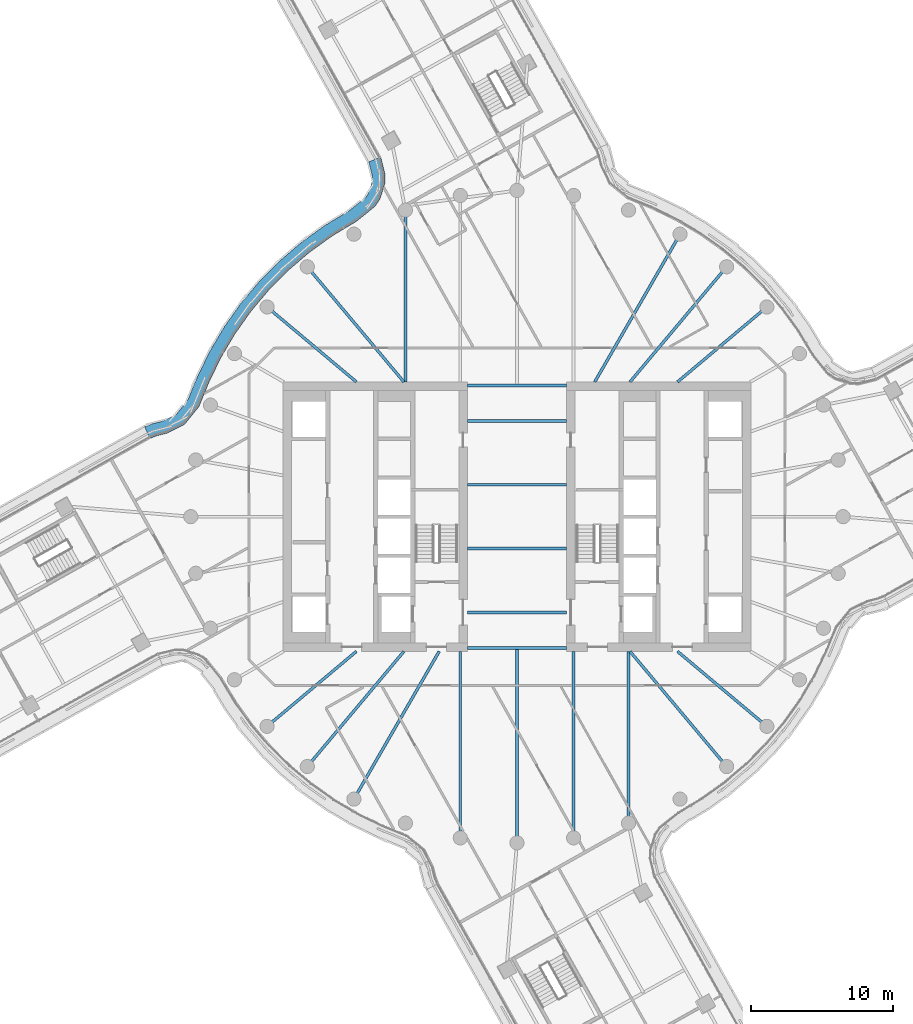
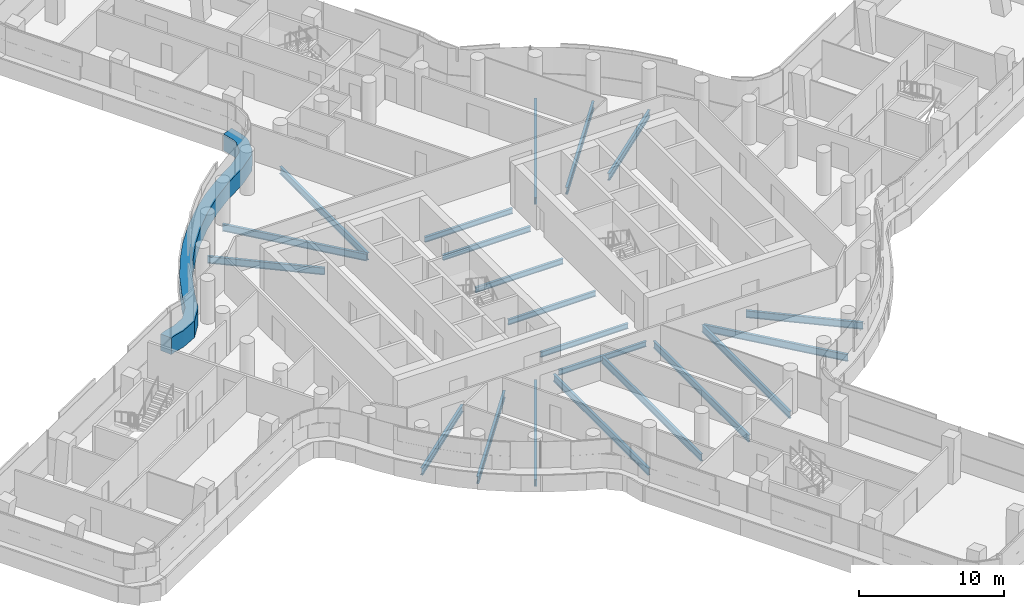
# One storey, part 9 of 34: 21 beams, 1 member, 1 element without a shape of its own.
"""IFC4 building model written with IfcOpenShell, lengths in metres."""

import ifcopenshell
import ifcopenshell.guid

model = None  # the IFC model being written
_history = None  # IfcOwnerHistory: only IFC2X3 demands one
_inside = {}  # id of a spatial element -> (the spatial element, [elements in it])
_under = {}  # id of a project, library or spatial element -> (it, [spatial elements below it])
_declared = {}  # id of a project -> (the project, [libraries it declares])
_typed = {}  # id of a type object -> (the type object, [elements of that type])
_made_of = {}  # id of a material, layer set ... -> (it, [elements and type objects made of it])


def new_model(schema):
    """Start an empty IFC model of exactly this schema.

    Asked for "IFC4X3", IfcOpenShell would pick the latest addendum, in which some entities
    have other attributes; the version numbers below select the first issue.
    IFC2X3 requires an IfcOwnerHistory on every rooted entity: one is made here for all.
    """
    global model, _history
    if schema == "IFC4X3":
        model = ifcopenshell.file(schema_version=(4, 3, 0, 0))
    else:
        model = ifcopenshell.file(schema=schema)
    _inside.clear()
    _under.clear()
    _declared.clear()
    _typed.clear()
    _made_of.clear()
    _history = None
    if model.schema == "IFC2X3":
        org = make("IfcOrganization", Name="unknown")
        user = make(
            "IfcPersonAndOrganization",
            ThePerson=make("IfcPerson", FamilyName="unknown"),
            TheOrganization=org,
        )
        app = make(
            "IfcApplication",
            ApplicationDeveloper=org,
            Version="unknown",
            ApplicationFullName="unknown",
            ApplicationIdentifier="unknown",
        )
        _history = make(
            "IfcOwnerHistory",
            OwningUser=user,
            OwningApplication=app,
            ChangeAction="ADDED",
            CreationDate=0,
        )
    return model


def make(cls, **values):
    """One entity of the class cls with the attributes given. An attribute that is None is left unset."""
    return model.create_entity(
        cls, **{name: value for name, value in values.items() if value is not None}
    )


def rooted(cls, **values):
    """An entity with a GlobalId (a new one), such as an element, a storey or a relation."""
    return make(cls, GlobalId=ifcopenshell.guid.new(), OwnerHistory=_history, **values)


def si_unit(unit_type, name, prefix=None):
    """IfcSIUnit, for example si_unit("LENGTHUNIT", "METRE", prefix="MILLI")."""
    return make("IfcSIUnit", UnitType=unit_type, Prefix=prefix, Name=name)


def assignment(units):
    """IfcUnitAssignment: the units of a project."""
    return None if units is None else make("IfcUnitAssignment", Units=units)


def point(xyz):
    """IfcCartesianPoint."""
    return None if xyz is None else make("IfcCartesianPoint", Coordinates=xyz)


def direction(xyz):
    """IfcDirection."""
    return None if xyz is None else make("IfcDirection", DirectionRatios=xyz)


def frame(location, z_axis=None, x_axis=None):
    """IfcAxis2Placement3D, a coordinate frame: its origin and axes. An axis left out is left unset."""
    return make(
        "IfcAxis2Placement3D",
        Location=point(location),
        Axis=direction(z_axis),
        RefDirection=direction(x_axis),
    )


def frame_2d(location, x_axis=None):
    """IfcAxis2Placement2D, a coordinate frame in the plane: its origin and x axis."""
    return make(
        "IfcAxis2Placement2D", Location=point(location), RefDirection=direction(x_axis)
    )


def origin():
    """The frame at (0, 0, 0) with its axes left unset."""
    return frame((0.0, 0.0, 0.0))


def origin_2d():
    """The frame at (0, 0) in the plane with its x axis left unset."""
    return frame_2d((0.0, 0.0))


def place(relative_to, where):
    """IfcLocalPlacement: puts the frame where relative to a parent placement (None: the world)."""
    return make(
        "IfcLocalPlacement", PlacementRelTo=relative_to, RelativePlacement=where
    )


def context(
    kind, dimensions, precision=None, world=None, true_north=None, identifier=None
):
    """IfcGeometricRepresentationContext, for example the 3D "Model" context."""
    return make(
        "IfcGeometricRepresentationContext",
        ContextIdentifier=identifier,
        ContextType=kind,
        CoordinateSpaceDimension=dimensions,
        Precision=precision,
        WorldCoordinateSystem=world,
        TrueNorth=true_north,
    )


def subcontext(parent, identifier, kind, view, scale=None):
    """IfcGeometricRepresentationSubContext, for example "Body" below "Model"."""
    return make(
        "IfcGeometricRepresentationSubContext",
        ContextIdentifier=identifier,
        ContextType=kind,
        ParentContext=parent,
        TargetScale=scale,
        TargetView=view,
    )


def project(units=None, contexts=None):
    """IfcProject with its units and contexts."""
    return rooted(
        "IfcProject",
        Name="project",
        RepresentationContexts=contexts,
        UnitsInContext=assignment(units),
    )


def spatial(cls, under=None, at=None, **own):
    """A site, building, storey or space (cls), placed at a placement, below another one or the project."""
    s = rooted(cls, ObjectPlacement=at, **own)
    if under is not None:
        _under.setdefault(under.id(), (under, []))[1].append(s)
    return s


def polyline(points):
    """IfcPolyline through the points."""
    return make("IfcPolyline", Points=[point(p) for p in points])


def profile(cls, at=None, kind="AREA", **sizes):
    """A parametric profile (cls). Its sizes go by their IFC names, for example OverallWidth=200.0."""
    return make(cls, ProfileType=kind, Position=at, **sizes)


def i_section(**sizes):
    """IfcIShapeProfileDef."""
    return profile("IfcIShapeProfileDef", **sizes)


def outline(outer, holes=None, kind="AREA"):
    """IfcArbitraryClosedProfileDef: a profile drawn as a closed curve; with holes, ...WithVoids."""
    if holes is None:
        return make("IfcArbitraryClosedProfileDef", ProfileType=kind, OuterCurve=outer)
    return make(
        "IfcArbitraryProfileDefWithVoids",
        ProfileType=kind,
        OuterCurve=outer,
        InnerCurves=holes,
    )


def extrude(swept, where, along, depth):
    """IfcExtrudedAreaSolid: the profile swept, set in the frame where, extruded along a direction by depth."""
    return make(
        "IfcExtrudedAreaSolid",
        SweptArea=swept,
        Position=where,
        ExtrudedDirection=direction(along),
        Depth=depth,
    )


def shape(context_of_items, identifier, shape_type, items):
    """IfcShapeRepresentation: the items that make up one representation, for example the "Body"."""
    return make(
        "IfcShapeRepresentation",
        ContextOfItems=context_of_items,
        RepresentationIdentifier=identifier,
        RepresentationType=shape_type,
        Items=items,
    )


def material(Name=None, Category=None):
    """IfcMaterial."""
    return make("IfcMaterial", Name=Name, Category=Category)


def layer(
    of_material, thickness, ventilated=None, Name=None, Category=None, Priority=None
):
    """IfcMaterialLayer: one layer of a wall or slab, of a material (None: an air gap)."""
    return make(
        "IfcMaterialLayer",
        Material=of_material,
        LayerThickness=thickness,
        IsVentilated=ventilated,
        Name=Name,
        Category=Category,
        Priority=Priority,
    )


def layer_set(layers, Name=None):
    """IfcMaterialLayerSet."""
    return make("IfcMaterialLayerSet", MaterialLayers=layers, LayerSetName=Name)


def material_profile(
    of_material, cross_section, Name=None, Category=None, Priority=None
):
    """IfcMaterialProfile: a cross section and its material."""
    return make(
        "IfcMaterialProfile",
        Name=Name,
        Material=of_material,
        Profile=cross_section,
        Priority=Priority,
        Category=Category,
    )


def profile_set(profiles, Name=None, composite=None):
    """IfcMaterialProfileSet."""
    return make(
        "IfcMaterialProfileSet",
        Name=Name,
        MaterialProfiles=profiles,
        CompositeProfile=composite,
    )


def made_of(thing, what):
    """Note that an element or type object is made of a material, layer set ...; save() writes the relation."""
    if what is not None:
        _made_of.setdefault(what.id(), (what, []))[1].append(thing)
    return thing


def type_object(cls, material=None, **own):
    """A type object (cls), such as IfcWallType, which elements share."""
    return made_of(rooted(cls, **own), material)


def element(
    cls,
    number,
    at=None,
    inside=None,
    cuts=None,
    type_object=None,
    material=None,
    context=None,
    identifier="Body",
    shape_type=None,
    held_by="IfcProductDefinitionShape",
    body=None,
    shapes=None,
    **own,
):
    """One element of the class cls, such as IfcWall. Its Tag is "e" and its number.

    at: its placement. inside: the storey or other place that contains it. cuts: it is an
    opening in that element (IfcRelVoidsElement). A single representation is given by context,
    identifier, shape_type and body (its items); several are given by shapes. held_by: the class
    of the entity that holds the representations. save() writes the other relations.
    """
    e = rooted(cls, Tag="e%d" % number, ObjectPlacement=at, **own)
    if body is not None:
        shapes = [shape(context, identifier, shape_type, body)]
    if shapes is not None:
        e.Representation = make(held_by, Representations=shapes)
    if inside is not None:
        _inside.setdefault(inside.id(), (inside, []))[1].append(e)
    if cuts is not None:
        rooted(
            "IfcRelVoidsElement", RelatingBuildingElement=cuts, RelatedOpeningElement=e
        )
    if type_object is not None:
        _typed.setdefault(type_object.id(), (type_object, []))[1].append(e)
    return made_of(e, material)


def aggregate(whole, parts):
    """IfcRelAggregates: a whole, such as a stair, and the parts it consists of."""
    return rooted("IfcRelAggregates", RelatingObject=whole, RelatedObjects=parts)


def save(model, path):
    """Write the relations noted so far, then the file.

    IfcRelAggregates (storeys below a building ...), IfcRelContainedInSpatialStructure (elements
    in a storey), IfcRelDefinesByType, IfcRelAssociatesMaterial and IfcRelDeclares: one each for
    every whole, place, type object, material and project.
    """
    for whole, parts in _under.values():
        aggregate(whole, parts)
    for where, things in _inside.values():
        rooted(
            "IfcRelContainedInSpatialStructure",
            RelatedElements=things,
            RelatingStructure=where,
        )
    for kind, things in _typed.values():
        rooted("IfcRelDefinesByType", RelatedObjects=things, RelatingType=kind)
    for what, things in _made_of.values():
        rooted("IfcRelAssociatesMaterial", RelatedObjects=things, RelatingMaterial=what)
    for by, libraries in _declared.values():
        rooted("IfcRelDeclares", RelatingContext=by, RelatedDefinitions=libraries)
    model.write(path)


model = new_model("IFC4")

# Units and contexts
model_context = context("Model", 3, precision=1e-05, world=origin(), true_north=direction((0.0, 1.0)))
body_context = subcontext(model_context, "Body", "Model", "MODEL_VIEW")
ifc_project = project(units=[si_unit("LENGTHUNIT", "METRE"), si_unit("AREAUNIT", "SQUARE_METRE"), si_unit("VOLUMEUNIT", "CUBIC_METRE"), si_unit("PLANEANGLEUNIT", "RADIAN"), si_unit("MASSUNIT", "GRAM", prefix="KILO")], contexts=[model_context])

# Site, building, storey
site_placement = place(None, origin())
site = spatial("IfcSite", under=ifc_project, at=site_placement, CompositionType="ELEMENT")
building_placement = place(site_placement, origin())
building = spatial("IfcBuilding", under=site, at=building_placement, Name="Tamarind Cross Interchange Tower", CompositionType="ELEMENT")
storey_placement = place(building_placement, frame((0.0, 0.0, 140.5)))
storey = spatial("IfcBuildingStorey", under=building, at=storey_placement, Name="L34", CompositionType="ELEMENT", Elevation=140.5)

# Beams
ifc_material_1 = material(Name="Steel Q355B", Category="steel")
ifc_material_profile_1 = material_profile(ifc_material_1, i_section(OverallWidth=0.198974609375, OverallDepth=0.446044921875, WebThickness=0.008056640625, FlangeThickness=0.011962890625, FilletRadius=0.012939453125, at=origin_2d()), Name="HN 446x199x8x12")
ifc_profile_set_1 = profile_set([ifc_material_profile_1], Name="Steel Q355B")
beam_type_1 = type_object("IfcBeamType", Name="Composite beam HN 446x199x8x12 Q355B", PredefinedType="BEAM", material=ifc_profile_set_1)
for number, where, z_axis, x_axis, name in (
    (1, (-3.5, -2.25, -0.363037109375), (1.0, 0.0, 0.0), (0.0, 1.0, 0.0), "Beam G-2.25"),
    (2, (-3.5, -6.75, -0.363037109375), (1.0, 0.0, 0.0), (0.0, 1.0, 0.0), "Beam G-6.75"),
    (3, (-3.5, -9.25, -0.363037109375), (1.0, 0.0, 0.0), (0.0, 1.0, 0.0), "Beam G-9.25"),
    (4, (-3.5, 2.25, -0.363037109375), (1.0, 0.0, 0.0), (0.0, 1.0, 0.0), "Beam G2.25"),
    (5, (-3.5, 6.75, -0.363037109375), (1.0, 0.0, 0.0), (0.0, 1.0, 0.0), "Beam G6.75"),
    (6, (-3.5, 9.25, -0.363037109375), (1.0, 0.0, 0.0), (0.0, 1.0, 0.0), "Beam G9.25"),
):
    element("IfcBeam", number, at=place(storey_placement, frame(where, z_axis=z_axis, x_axis=x_axis)), inside=storey, type_object=beam_type_1, Name=name, PredefinedType="BEAM", context=body_context, shape_type="SweptSolid", body=[
        extrude(i_section(OverallWidth=0.198974609375, OverallDepth=0.446044921875, WebThickness=0.008056640625, FlangeThickness=0.011962890625, FilletRadius=0.012939453125, at=origin_2d()), origin(), (0.0, 0.0, 1.0), 7.0),
    ])
ifc_material_profile_2 = material_profile(ifc_material_1, i_section(OverallWidth=0.198974609375, OverallDepth=0.595947265625, WebThickness=0.010009765625, FlangeThickness=0.014892578125, FilletRadius=0.012939453125, at=origin_2d()), Name="HN 596x199x10x15")
ifc_profile_set_2 = profile_set([ifc_material_profile_2], Name="Steel Q355B")
beam_type_2 = type_object("IfcBeamType", Name="Composite beam HN 596x199x10x15 Q355B", PredefinedType="BEAM", material=ifc_profile_set_2)
beam_1_placement = place(storey_placement, frame((17.619140625, 14.7841796875, -0.43798828125), z_axis=(-0.766040580814, -0.642792212574, 0.0), x_axis=(0.642792212574, -0.766040580814, 0.0)))
element("IfcBeam", 7, at=beam_1_placement, inside=storey, type_object=beam_type_2, Name="Beam HH04", PredefinedType="BEAM", context=body_context, shape_type="SweptSolid", body=[
    extrude(i_section(OverallWidth=0.198974609375, OverallDepth=0.595947265625, WebThickness=0.010009765625, FlangeThickness=0.014892578125, FilletRadius=0.012939453125, at=origin_2d()), origin(), (0.0, 0.0, 1.0), 8.220703125),
])
beam_2_placement = place(storey_placement, frame((14.7841796875, 17.619140625, -0.43798828125), z_axis=(-0.642786293979, -0.766045547127, 0.0), x_axis=(0.766045547127, -0.642786293979, 0.0)))
element("IfcBeam", 8, at=beam_2_placement, inside=storey, type_object=beam_type_2, Name="Beam HH05", PredefinedType="BEAM", context=body_context, shape_type="SweptSolid", body=[
    extrude(i_section(OverallWidth=0.198974609375, OverallDepth=0.595947265625, WebThickness=0.010009765625, FlangeThickness=0.014892578125, FilletRadius=0.012939453125, at=origin_2d()), origin(), (0.0, 0.0, 1.0), 10.598876953125),
])
beam_3_placement = place(storey_placement, frame((11.5, 19.918701171875, -0.43798828125), z_axis=(-0.499993565836, -0.866029118519, 0.0), x_axis=(0.866029118519, -0.499993565836, 0.0)))
element("IfcBeam", 9, at=beam_3_placement, inside=storey, type_object=beam_type_2, Name="Beam HH06", PredefinedType="BEAM", context=body_context, shape_type="SweptSolid", body=[
    extrude(i_section(OverallWidth=0.198974609375, OverallDepth=0.595947265625, WebThickness=0.010009765625, FlangeThickness=0.014892578125, FilletRadius=0.012939453125, at=origin_2d()), origin(), (0.0, 0.0, 1.0), 12.030517578125),
])
beam_4_placement = place(storey_placement, frame((-7.866455078125, 21.613037109375, -0.43798828125), z_axis=(0.0, -1.0, 0.0), x_axis=(1.0, 0.0, 0.0)))
element("IfcBeam", 10, at=beam_4_placement, inside=storey, type_object=beam_type_2, Name="Beam HH11", PredefinedType="BEAM", context=body_context, shape_type="SweptSolid", body=[
    extrude(i_section(OverallWidth=0.198974609375, OverallDepth=0.595947265625, WebThickness=0.010009765625, FlangeThickness=0.014892578125, FilletRadius=0.012939453125, at=origin_2d()), origin(), (0.0, 0.0, 1.0), 12.113037109375),
])
beam_5_placement = place(storey_placement, frame((-14.7841796875, 17.619140625, -0.43798828125), z_axis=(0.642786293979, -0.766045547127, 0.0), x_axis=(0.766045547127, 0.642786293979, 0.0)))
element("IfcBeam", 11, at=beam_5_placement, inside=storey, type_object=beam_type_2, Name="Beam HH13", PredefinedType="BEAM", context=body_context, shape_type="SweptSolid", body=[
    extrude(i_section(OverallWidth=0.198974609375, OverallDepth=0.595947265625, WebThickness=0.010009765625, FlangeThickness=0.014892578125, FilletRadius=0.012939453125, at=origin_2d()), origin(), (0.0, 0.0, 1.0), 10.598876953125),
])
for number, where, z_axis, x_axis, name in (
    (12, (-17.619140625, 14.7841796875, -0.43798828125), (0.766040580814, -0.642792212574, 0.0), (0.642792212574, 0.766040580814, 0.0), "Beam HH14"),
    (13, (-17.619140625, -14.7841796875, -0.43798828125), (0.766040580814, 0.642792212574, 0.0), (-0.642792212574, 0.766040580814, 0.0), "Beam HH22"),
):
    element("IfcBeam", number, at=place(storey_placement, frame(where, z_axis=z_axis, x_axis=x_axis)), inside=storey, type_object=beam_type_2, Name=name, PredefinedType="BEAM", context=body_context, shape_type="SweptSolid", body=[
        extrude(i_section(OverallWidth=0.198974609375, OverallDepth=0.595947265625, WebThickness=0.010009765625, FlangeThickness=0.014892578125, FilletRadius=0.012939453125, at=origin_2d()), origin(), (0.0, 0.0, 1.0), 8.220703125),
    ])
beam_6_placement = place(storey_placement, frame((-14.7841796875, -17.619140625, -0.43798828125), z_axis=(0.642786293979, 0.766045547127, 0.0), x_axis=(-0.766045547127, 0.642786293979, 0.0)))
element("IfcBeam", 14, at=beam_6_placement, inside=storey, type_object=beam_type_2, Name="Beam HH23", PredefinedType="BEAM", context=body_context, shape_type="SweptSolid", body=[
    extrude(i_section(OverallWidth=0.198974609375, OverallDepth=0.595947265625, WebThickness=0.010009765625, FlangeThickness=0.014892578125, FilletRadius=0.012939453125, at=origin_2d()), origin(), (0.0, 0.0, 1.0), 10.598876953125),
])
beam_7_placement = place(storey_placement, frame((-11.5, -19.918701171875, -0.43798828125), z_axis=(0.499993565836, 0.866029118519, 0.0), x_axis=(-0.866029118519, 0.499993565836, 0.0)))
element("IfcBeam", 15, at=beam_7_placement, inside=storey, type_object=beam_type_2, Name="Beam HH24", PredefinedType="BEAM", context=body_context, shape_type="SweptSolid", body=[
    extrude(i_section(OverallWidth=0.198974609375, OverallDepth=0.595947265625, WebThickness=0.010009765625, FlangeThickness=0.014892578125, FilletRadius=0.012939453125, at=origin_2d()), origin(), (0.0, 0.0, 1.0), 12.030517578125),
])
beam_8_placement = place(storey_placement, frame((-3.993896484375, -22.650634765625, -0.43798828125), z_axis=(0.0, 1.0, 0.0), x_axis=(-1.0, 0.0, 0.0)))
element("IfcBeam", 16, at=beam_8_placement, inside=storey, type_object=beam_type_2, Name="Beam HH26", PredefinedType="BEAM", context=body_context, shape_type="SweptSolid", body=[
    extrude(i_section(OverallWidth=0.198974609375, OverallDepth=0.595947265625, WebThickness=0.010009765625, FlangeThickness=0.014892578125, FilletRadius=0.012939453125, at=origin_2d()), origin(), (0.0, 0.0, 1.0), 13.150634765625),
])
beam_9_placement = place(storey_placement, frame((0.0, -23.0, -0.43798828125), z_axis=(0.0, 1.0, 0.0), x_axis=(-1.0, 0.0, 0.0)))
element("IfcBeam", 17, at=beam_9_placement, inside=storey, type_object=beam_type_2, Name="Beam HH27", PredefinedType="BEAM", context=body_context, shape_type="SweptSolid", body=[
    extrude(i_section(OverallWidth=0.198974609375, OverallDepth=0.595947265625, WebThickness=0.010009765625, FlangeThickness=0.014892578125, FilletRadius=0.012939453125, at=origin_2d()), origin(), (0.0, 0.0, 1.0), 13.75),
])
beam_10_placement = place(storey_placement, frame((3.993896484375, -22.650634765625, -0.43798828125), z_axis=(0.0, 1.0, 0.0), x_axis=(-1.0, 0.0, 0.0)))
element("IfcBeam", 18, at=beam_10_placement, inside=storey, type_object=beam_type_2, Name="Beam HH28", PredefinedType="BEAM", context=body_context, shape_type="SweptSolid", body=[
    extrude(i_section(OverallWidth=0.198974609375, OverallDepth=0.595947265625, WebThickness=0.010009765625, FlangeThickness=0.014892578125, FilletRadius=0.012939453125, at=origin_2d()), origin(), (0.0, 0.0, 1.0), 13.150634765625),
])
beam_11_placement = place(storey_placement, frame((7.866455078125, -21.613037109375, -0.43798828125), z_axis=(0.0, 1.0, 0.0), x_axis=(-1.0, 0.0, 0.0)))
element("IfcBeam", 19, at=beam_11_placement, inside=storey, type_object=beam_type_2, Name="Beam HH29", PredefinedType="BEAM", context=body_context, shape_type="SweptSolid", body=[
    extrude(i_section(OverallWidth=0.198974609375, OverallDepth=0.595947265625, WebThickness=0.010009765625, FlangeThickness=0.014892578125, FilletRadius=0.012939453125, at=origin_2d()), origin(), (0.0, 0.0, 1.0), 12.113037109375),
])
beam_12_placement = place(storey_placement, frame((14.7841796875, -17.619140625, -0.43798828125), z_axis=(-0.642786293979, 0.766045547127, 0.0), x_axis=(-0.766045547127, -0.642786293979, 0.0)))
element("IfcBeam", 20, at=beam_12_placement, inside=storey, type_object=beam_type_2, Name="Beam HH31", PredefinedType="BEAM", context=body_context, shape_type="SweptSolid", body=[
    extrude(i_section(OverallWidth=0.198974609375, OverallDepth=0.595947265625, WebThickness=0.010009765625, FlangeThickness=0.014892578125, FilletRadius=0.012939453125, at=origin_2d()), origin(), (0.0, 0.0, 1.0), 10.598876953125),
])
beam_13_placement = place(storey_placement, frame((17.619140625, -14.7841796875, -0.43798828125), z_axis=(-0.766040580814, 0.642792212574, 0.0), x_axis=(-0.642792212574, -0.766040580814, 0.0)))
element("IfcBeam", 21, at=beam_13_placement, inside=storey, type_object=beam_type_2, Name="Beam HH32", PredefinedType="BEAM", context=body_context, shape_type="SweptSolid", body=[
    extrude(i_section(OverallWidth=0.198974609375, OverallDepth=0.595947265625, WebThickness=0.010009765625, FlangeThickness=0.014892578125, FilletRadius=0.012939453125, at=origin_2d()), origin(), (0.0, 0.0, 1.0), 8.220703125),
])

# Curtain wall, member
ifc_material_2 = material(Name="Aluminium 6063-T6", Category="aluminium")
ifc_layer = layer(ifc_material_2, 0.159912109375)
ifc_layer_set = layer_set([ifc_layer], Name="Aluminium 6063-T6")
curtain_wall_type = type_object("IfcCurtainWallType", Name="Office curtain wall, 9.0 m bays", PredefinedType="NOTDEFINED", material=ifc_layer_set)
curtain_wall_placement = place(storey_placement, origin())
curtain_wall = element("IfcCurtainWall", 22, at=curtain_wall_placement, inside=storey, type_object=curtain_wall_type, Name="CWS-L34-14", PredefinedType="NOTDEFINED")
ifc_material_3 = material(Name="Aluminium and insulated spandrel panel", Category="aluminium")
member_type = type_object("IfcMemberType", Name="Floor-edge blade transom", PredefinedType="USERDEFINED", material=ifc_material_3)
member_placement = place(storey_placement, origin())
member = element("IfcMember", 23, at=member_placement, type_object=member_type, Name="CWT-L34-14", ObjectType="TRANSOM", PredefinedType="USERDEFINED", context=body_context, shape_type="SweptSolid", body=[
    extrude(outline(polyline([(-9.597900390625, 25.3505859375), (-9.29443359375, 24.107177734375), (-9.3134765625, 23.5), (-9.654296875, 22.408935546875), (-9.98828125, 21.892333984375), (-11.339599609375, 20.807861328125), (-13.045654296875, 19.78125), (-14.634521484375, 18.636474609375), (-16.12353515625, 17.3642578125), (-17.50244140625, 15.973388671875), (-18.76171875, 14.4736328125), (-19.892822265625, 12.874755859375), (-20.88818359375, 11.188232421875), (-21.741943359375, 9.42236328125), (-22.42236328125, 7.75732421875), (-23.442138671875, 6.501220703125), (-24.68115234375, 5.880126953125), (-25.417236328125, 5.693115234375), (-25.86572265625, 5.51416015625), (-26.25390625, 6.328125), (-25.696044921875, 6.55078125), (-24.9970703125, 6.728515625), (-24.0185546875, 7.21875), (-23.205078125, 8.220947265625), (-22.564453125, 9.788818359375), (-21.68212890625, 11.613525390625), (-20.64892578125, 13.3642578125), (-19.474853515625, 15.023681640625), (-18.167724609375, 16.580810546875), (-16.736572265625, 18.0244140625), (-15.19091796875, 19.344970703125), (-13.54150390625, 20.533203125), (-11.85546875, 21.547607421875), (-10.6650390625, 22.503173828125), (-10.476806640625, 22.79443359375), (-10.209228515625, 23.651123046875), (-10.19775390625, 24.012939453125), (-10.443359375, 25.0185546875), (-9.597900390625, 25.3505859375)])), origin(), (0.0, 0.0, 1.0), 1.39990234375),
])
aggregate(curtain_wall, [member])

save(model, "model.ifc")
